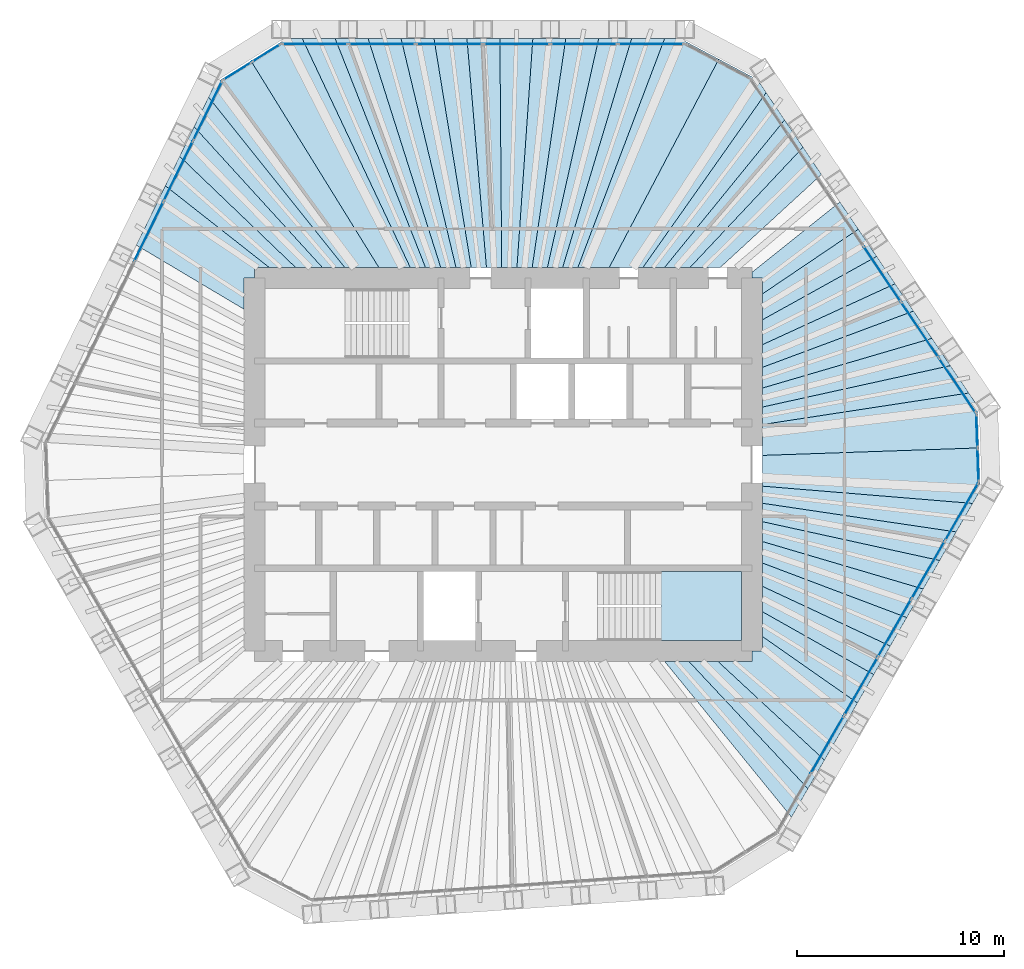
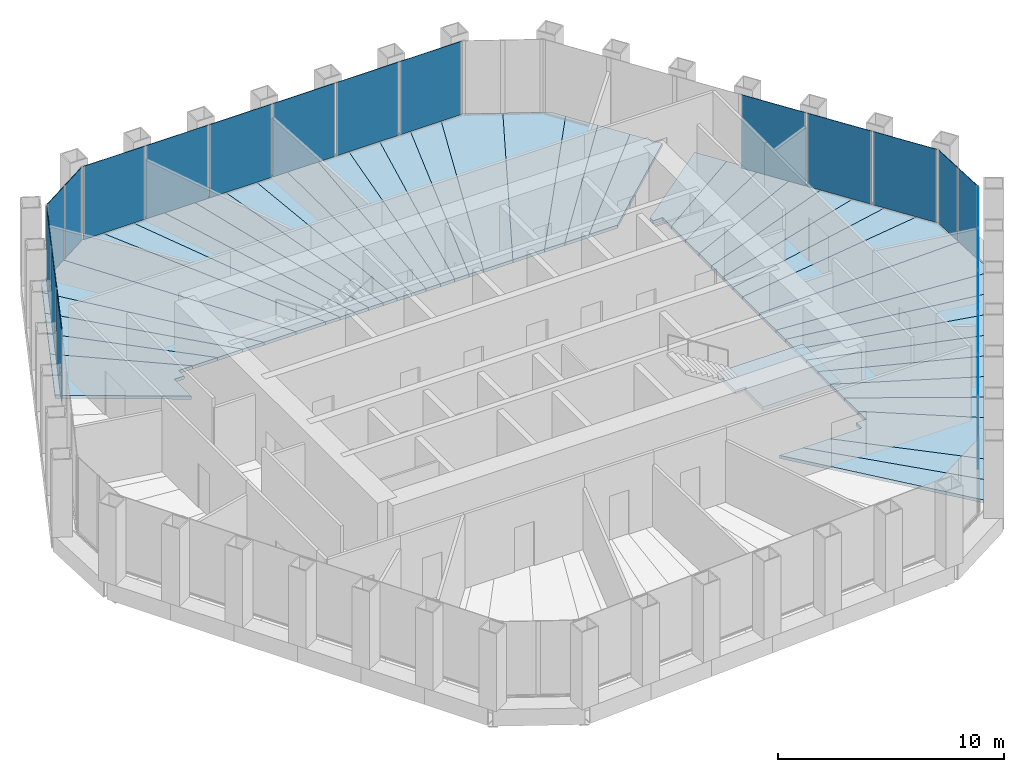
# One storey, part 10 of 14: 42 slabs, 21 plates, 7 elements without a shape of their own.
"""IFC4 building model written with IfcOpenShell, lengths in metres."""

import ifcopenshell
import ifcopenshell.guid

model = None  # the IFC model being written
_history = None  # IfcOwnerHistory: only IFC2X3 demands one
_inside = {}  # id of a spatial element -> (the spatial element, [elements in it])
_under = {}  # id of a project, library or spatial element -> (it, [spatial elements below it])
_declared = {}  # id of a project -> (the project, [libraries it declares])
_typed = {}  # id of a type object -> (the type object, [elements of that type])
_made_of = {}  # id of a material, layer set ... -> (it, [elements and type objects made of it])


def new_model(schema):
    """Start an empty IFC model of exactly this schema.

    Asked for "IFC4X3", IfcOpenShell would pick the latest addendum, in which some entities
    have other attributes; the version numbers below select the first issue.
    IFC2X3 requires an IfcOwnerHistory on every rooted entity: one is made here for all.
    """
    global model, _history
    if schema == "IFC4X3":
        model = ifcopenshell.file(schema_version=(4, 3, 0, 0))
    else:
        model = ifcopenshell.file(schema=schema)
    _inside.clear()
    _under.clear()
    _declared.clear()
    _typed.clear()
    _made_of.clear()
    _history = None
    if model.schema == "IFC2X3":
        org = make("IfcOrganization", Name="unknown")
        user = make(
            "IfcPersonAndOrganization",
            ThePerson=make("IfcPerson", FamilyName="unknown"),
            TheOrganization=org,
        )
        app = make(
            "IfcApplication",
            ApplicationDeveloper=org,
            Version="unknown",
            ApplicationFullName="unknown",
            ApplicationIdentifier="unknown",
        )
        _history = make(
            "IfcOwnerHistory",
            OwningUser=user,
            OwningApplication=app,
            ChangeAction="ADDED",
            CreationDate=0,
        )
    return model


def make(cls, **values):
    """One entity of the class cls with the attributes given. An attribute that is None is left unset."""
    return model.create_entity(
        cls, **{name: value for name, value in values.items() if value is not None}
    )


def rooted(cls, **values):
    """An entity with a GlobalId (a new one), such as an element, a storey or a relation."""
    return make(cls, GlobalId=ifcopenshell.guid.new(), OwnerHistory=_history, **values)


def si_unit(unit_type, name, prefix=None):
    """IfcSIUnit, for example si_unit("LENGTHUNIT", "METRE", prefix="MILLI")."""
    return make("IfcSIUnit", UnitType=unit_type, Prefix=prefix, Name=name)


def assignment(units):
    """IfcUnitAssignment: the units of a project."""
    return None if units is None else make("IfcUnitAssignment", Units=units)


def point(xyz):
    """IfcCartesianPoint."""
    return None if xyz is None else make("IfcCartesianPoint", Coordinates=xyz)


def direction(xyz):
    """IfcDirection."""
    return None if xyz is None else make("IfcDirection", DirectionRatios=xyz)


def frame(location, z_axis=None, x_axis=None):
    """IfcAxis2Placement3D, a coordinate frame: its origin and axes. An axis left out is left unset."""
    return make(
        "IfcAxis2Placement3D",
        Location=point(location),
        Axis=direction(z_axis),
        RefDirection=direction(x_axis),
    )


def frame_2d(location, x_axis=None):
    """IfcAxis2Placement2D, a coordinate frame in the plane: its origin and x axis."""
    return make(
        "IfcAxis2Placement2D", Location=point(location), RefDirection=direction(x_axis)
    )


def origin():
    """The frame at (0, 0, 0) with its axes left unset."""
    return frame((0.0, 0.0, 0.0))


def origin_2d():
    """The frame at (0, 0) in the plane with its x axis left unset."""
    return frame_2d((0.0, 0.0))


def place(relative_to, where):
    """IfcLocalPlacement: puts the frame where relative to a parent placement (None: the world)."""
    return make(
        "IfcLocalPlacement", PlacementRelTo=relative_to, RelativePlacement=where
    )


def context(
    kind, dimensions, precision=None, world=None, true_north=None, identifier=None
):
    """IfcGeometricRepresentationContext, for example the 3D "Model" context."""
    return make(
        "IfcGeometricRepresentationContext",
        ContextIdentifier=identifier,
        ContextType=kind,
        CoordinateSpaceDimension=dimensions,
        Precision=precision,
        WorldCoordinateSystem=world,
        TrueNorth=true_north,
    )


def subcontext(parent, identifier, kind, view, scale=None):
    """IfcGeometricRepresentationSubContext, for example "Body" below "Model"."""
    return make(
        "IfcGeometricRepresentationSubContext",
        ContextIdentifier=identifier,
        ContextType=kind,
        ParentContext=parent,
        TargetScale=scale,
        TargetView=view,
    )


def project(units=None, contexts=None):
    """IfcProject with its units and contexts."""
    return rooted(
        "IfcProject",
        Name="project",
        RepresentationContexts=contexts,
        UnitsInContext=assignment(units),
    )


def spatial(cls, under=None, at=None, **own):
    """A site, building, storey or space (cls), placed at a placement, below another one or the project."""
    s = rooted(cls, ObjectPlacement=at, **own)
    if under is not None:
        _under.setdefault(under.id(), (under, []))[1].append(s)
    return s


def polyline(points):
    """IfcPolyline through the points."""
    return make("IfcPolyline", Points=[point(p) for p in points])


def profile(cls, at=None, kind="AREA", **sizes):
    """A parametric profile (cls). Its sizes go by their IFC names, for example OverallWidth=200.0."""
    return make(cls, ProfileType=kind, Position=at, **sizes)


def rectangle(**sizes):
    """IfcRectangleProfileDef."""
    return profile("IfcRectangleProfileDef", **sizes)


def outline(outer, holes=None, kind="AREA"):
    """IfcArbitraryClosedProfileDef: a profile drawn as a closed curve; with holes, ...WithVoids."""
    if holes is None:
        return make("IfcArbitraryClosedProfileDef", ProfileType=kind, OuterCurve=outer)
    return make(
        "IfcArbitraryProfileDefWithVoids",
        ProfileType=kind,
        OuterCurve=outer,
        InnerCurves=holes,
    )


def extrude(swept, where, along, depth):
    """IfcExtrudedAreaSolid: the profile swept, set in the frame where, extruded along a direction by depth."""
    return make(
        "IfcExtrudedAreaSolid",
        SweptArea=swept,
        Position=where,
        ExtrudedDirection=direction(along),
        Depth=depth,
    )


def shape(context_of_items, identifier, shape_type, items):
    """IfcShapeRepresentation: the items that make up one representation, for example the "Body"."""
    return make(
        "IfcShapeRepresentation",
        ContextOfItems=context_of_items,
        RepresentationIdentifier=identifier,
        RepresentationType=shape_type,
        Items=items,
    )


def material(Name=None, Category=None):
    """IfcMaterial."""
    return make("IfcMaterial", Name=Name, Category=Category)


def layer(
    of_material, thickness, ventilated=None, Name=None, Category=None, Priority=None
):
    """IfcMaterialLayer: one layer of a wall or slab, of a material (None: an air gap)."""
    return make(
        "IfcMaterialLayer",
        Material=of_material,
        LayerThickness=thickness,
        IsVentilated=ventilated,
        Name=Name,
        Category=Category,
        Priority=Priority,
    )


def layer_set(layers, Name=None):
    """IfcMaterialLayerSet."""
    return make("IfcMaterialLayerSet", MaterialLayers=layers, LayerSetName=Name)


def made_of(thing, what):
    """Note that an element or type object is made of a material, layer set ...; save() writes the relation."""
    if what is not None:
        _made_of.setdefault(what.id(), (what, []))[1].append(thing)
    return thing


def type_object(cls, material=None, **own):
    """A type object (cls), such as IfcWallType, which elements share."""
    return made_of(rooted(cls, **own), material)


def element(
    cls,
    number,
    at=None,
    inside=None,
    cuts=None,
    type_object=None,
    material=None,
    context=None,
    identifier="Body",
    shape_type=None,
    held_by="IfcProductDefinitionShape",
    body=None,
    shapes=None,
    **own,
):
    """One element of the class cls, such as IfcWall. Its Tag is "e" and its number.

    at: its placement. inside: the storey or other place that contains it. cuts: it is an
    opening in that element (IfcRelVoidsElement). A single representation is given by context,
    identifier, shape_type and body (its items); several are given by shapes. held_by: the class
    of the entity that holds the representations. save() writes the other relations.
    """
    e = rooted(cls, Tag="e%d" % number, ObjectPlacement=at, **own)
    if body is not None:
        shapes = [shape(context, identifier, shape_type, body)]
    if shapes is not None:
        e.Representation = make(held_by, Representations=shapes)
    if inside is not None:
        _inside.setdefault(inside.id(), (inside, []))[1].append(e)
    if cuts is not None:
        rooted(
            "IfcRelVoidsElement", RelatingBuildingElement=cuts, RelatedOpeningElement=e
        )
    if type_object is not None:
        _typed.setdefault(type_object.id(), (type_object, []))[1].append(e)
    return made_of(e, material)


def aggregate(whole, parts):
    """IfcRelAggregates: a whole, such as a stair, and the parts it consists of."""
    return rooted("IfcRelAggregates", RelatingObject=whole, RelatedObjects=parts)


def save(model, path):
    """Write the relations noted so far, then the file.

    IfcRelAggregates (storeys below a building ...), IfcRelContainedInSpatialStructure (elements
    in a storey), IfcRelDefinesByType, IfcRelAssociatesMaterial and IfcRelDeclares: one each for
    every whole, place, type object, material and project.
    """
    for whole, parts in _under.values():
        aggregate(whole, parts)
    for where, things in _inside.values():
        rooted(
            "IfcRelContainedInSpatialStructure",
            RelatedElements=things,
            RelatingStructure=where,
        )
    for kind, things in _typed.values():
        rooted("IfcRelDefinesByType", RelatedObjects=things, RelatingType=kind)
    for what, things in _made_of.values():
        rooted("IfcRelAssociatesMaterial", RelatedObjects=things, RelatingMaterial=what)
    for by, libraries in _declared.values():
        rooted("IfcRelDeclares", RelatingContext=by, RelatedDefinitions=libraries)
    model.write(path)


model = new_model("IFC4")

# Units and contexts
model_context = context("Model", 3, precision=1e-05, world=origin(), true_north=direction((0.0, 1.0)))
body_context = subcontext(model_context, "Body", "Model", "MODEL_VIEW")
ifc_project = project(units=[si_unit("LENGTHUNIT", "METRE"), si_unit("AREAUNIT", "SQUARE_METRE"), si_unit("VOLUMEUNIT", "CUBIC_METRE"), si_unit("PLANEANGLEUNIT", "RADIAN"), si_unit("MASSUNIT", "GRAM", prefix="KILO")], contexts=[model_context])

# Site, building, storey
site_placement = place(None, origin())
site = spatial("IfcSite", under=ifc_project, at=site_placement, CompositionType="ELEMENT")
building_placement = place(site_placement, origin())
building = spatial("IfcBuilding", under=site, at=building_placement, Name="Qingtian Harvest Tower", CompositionType="ELEMENT")
storey_placement = place(building_placement, frame((0.0, 0.0, 274.60009765625)))
storey = spatial("IfcBuildingStorey", under=building, at=storey_placement, Name="L60", CompositionType="ELEMENT", Elevation=274.60009765625)

# Slabs
ifc_material_1 = material(Name="Concrete fc' 35 MPa", Category="concrete")
ifc_layer_1 = layer(ifc_material_1, 0.169921875)
ifc_layer_set_1 = layer_set([ifc_layer_1], Name="Composite floor slab FS17 170")
slab_type_1 = type_object("IfcSlabType", Name="Composite floor slab FS17 170", PredefinedType="FLOOR", material=ifc_layer_set_1)
slab_1_placement = place(storey_placement, frame((0.0, 0.0, -0.170166015625)))
element("IfcSlab", 1, at=slab_1_placement, inside=storey, type_object=slab_type_1, Name="Floor slab L60 panel D28", PredefinedType="FLOOR", context=body_context, shape_type="SweptSolid", body=[
    extrude(outline(polyline([(8.957275390625, -9.5), (14.703857421875, -15.64208984375), (13.908935546875, -17.01904296875), (7.78515625, -9.5), (8.957275390625, -9.5)])), origin(), (0.0, 0.0, 1.0), 0.170166015625),
])
slab_2_placement = place(storey_placement, frame((0.0, 0.0, -0.170166015625)))
element("IfcSlab", 2, at=slab_2_placement, inside=storey, type_object=slab_type_1, Name="Floor slab L60 panel D29", PredefinedType="FLOOR", context=body_context, shape_type="SweptSolid", body=[
    extrude(outline(polyline([(10.35693359375, -9.5), (15.498779296875, -14.26513671875), (14.703857421875, -15.64208984375), (8.957275390625, -9.5), (10.35693359375, -9.5)])), origin(), (0.0, 0.0, 1.0), 0.170166015625),
])
slab_3_placement = place(storey_placement, frame((0.0, 0.0, -0.170166015625)))
element("IfcSlab", 3, at=slab_3_placement, inside=storey, type_object=slab_type_1, Name="Floor slab L60 panel D31", PredefinedType="FLOOR", context=body_context, shape_type="SweptSolid", body=[
    extrude(outline(polyline([(12.5, -8.29443359375), (17.091552734375, -11.506591796875), (15.498779296875, -14.26513671875), (10.35693359375, -9.5), (12.0, -9.5), (12.0, -9.0), (12.5, -9.0), (12.5, -8.29443359375)])), origin(), (0.0, 0.0, 1.0), 0.170166015625),
])
slab_4_placement = place(storey_placement, frame((0.0, 0.0, -0.170166015625)))
element("IfcSlab", 4, at=slab_4_placement, inside=storey, type_object=slab_type_1, Name="Floor slab L60 panel D32", PredefinedType="FLOOR", context=body_context, shape_type="SweptSolid", body=[
    extrude(outline(polyline([(12.5, -7.099853515625), (17.882080078125, -10.137451171875), (17.091552734375, -11.506591796875), (12.5, -8.29443359375), (12.5, -7.099853515625)])), origin(), (0.0, 0.0, 1.0), 0.170166015625),
])
slab_5_placement = place(storey_placement, frame((0.0, 0.0, -0.170166015625)))
element("IfcSlab", 5, at=slab_5_placement, inside=storey, type_object=slab_type_1, Name="Floor slab L60 panel D33", PredefinedType="FLOOR", context=body_context, shape_type="SweptSolid", body=[
    extrude(outline(polyline([(12.5, -5.875244140625), (18.677001953125, -8.760498046875), (17.882080078125, -10.137451171875), (12.5, -7.099853515625), (12.5, -5.875244140625)])), origin(), (0.0, 0.0, 1.0), 0.170166015625),
])
slab_6_placement = place(storey_placement, frame((0.0, 0.0, -0.170166015625)))
element("IfcSlab", 6, at=slab_6_placement, inside=storey, type_object=slab_type_1, Name="Floor slab L60 panel D34", PredefinedType="FLOOR", context=body_context, shape_type="SweptSolid", body=[
    extrude(outline(polyline([(12.5, -4.750732421875), (19.4716796875, -7.3837890625), (18.677001953125, -8.760498046875), (12.5, -5.875244140625), (12.5, -4.750732421875)])), origin(), (0.0, 0.0, 1.0), 0.170166015625),
])
slab_7_placement = place(storey_placement, frame((0.0, 0.0, -0.170166015625)))
element("IfcSlab", 7, at=slab_7_placement, inside=storey, type_object=slab_type_1, Name="Floor slab L60 panel D35", PredefinedType="FLOOR", context=body_context, shape_type="SweptSolid", body=[
    extrude(outline(polyline([(12.5, -3.714599609375), (20.2666015625, -6.007080078125), (19.4716796875, -7.3837890625), (12.5, -4.750732421875), (12.5, -3.714599609375)])), origin(), (0.0, 0.0, 1.0), 0.170166015625),
])
slab_8_placement = place(storey_placement, frame((0.0, 0.0, -0.170166015625)))
element("IfcSlab", 8, at=slab_8_placement, inside=storey, type_object=slab_type_1, Name="Floor slab L60 panel D36", PredefinedType="FLOOR", context=body_context, shape_type="SweptSolid", body=[
    extrude(outline(polyline([(12.5, -2.756591796875), (21.0615234375, -4.630615234375), (20.2666015625, -6.007080078125), (12.5, -3.714599609375), (12.5, -2.756591796875)])), origin(), (0.0, 0.0, 1.0), 0.170166015625),
])
slab_9_placement = place(storey_placement, frame((0.0, 0.0, -0.170166015625)))
element("IfcSlab", 9, at=slab_9_placement, inside=storey, type_object=slab_type_1, Name="Floor slab L60 panel D37", PredefinedType="FLOOR", context=body_context, shape_type="SweptSolid", body=[
    extrude(outline(polyline([(12.5, -1.868408203125), (21.856201171875, -3.25390625), (21.0615234375, -4.630615234375), (12.5, -2.756591796875), (12.5, -1.868408203125)])), origin(), (0.0, 0.0, 1.0), 0.170166015625),
])
slab_10_placement = place(storey_placement, frame((0.0, 0.0, -0.170166015625)))
element("IfcSlab", 10, at=slab_10_placement, inside=storey, type_object=slab_type_1, Name="Floor slab L60 panel D38", PredefinedType="FLOOR", context=body_context, shape_type="SweptSolid", body=[
    extrude(outline(polyline([(12.5, -1.042724609375), (22.651123046875, -1.877197265625), (21.856201171875, -3.25390625), (12.5, -1.868408203125), (12.5, -1.042724609375)])), origin(), (0.0, 0.0, 1.0), 0.170166015625),
])
slab_11_placement = place(storey_placement, frame((0.0, 0.0, -0.170166015625)))
element("IfcSlab", 11, at=slab_11_placement, inside=storey, type_object=slab_type_1, Name="Floor slab L60 panel D39", PredefinedType="FLOOR", context=body_context, shape_type="SweptSolid", body=[
    extrude(outline(polyline([(12.5, -1.042724609375), (12.5, 0.439697265625), (22.9521484375, 0.8017578125), (23.023193359375, -1.232666015625), (22.651123046875, -1.877197265625), (12.5, -1.042724609375)])), origin(), (0.0, 0.0, 1.0), 0.170166015625),
])
slab_12_placement = place(storey_placement, frame((0.0, 0.0, -0.170166015625)))
element("IfcSlab", 12, at=slab_12_placement, inside=storey, type_object=slab_type_1, Name="Floor slab L60 panel D40", PredefinedType="FLOOR", context=body_context, shape_type="SweptSolid", body=[
    extrude(outline(polyline([(12.5, 0.439697265625), (12.5, 1.928955078125), (22.46484375, 3.45263671875), (22.881103515625, 2.835693359375), (22.9521484375, 0.8017578125), (12.5, 0.439697265625)])), origin(), (0.0, 0.0, 1.0), 0.170166015625),
])
slab_13_placement = place(storey_placement, frame((0.0, 0.0, -0.170166015625)))
element("IfcSlab", 13, at=slab_13_placement, inside=storey, type_object=slab_type_1, Name="Floor slab L60 panel D41", PredefinedType="FLOOR", context=body_context, shape_type="SweptSolid", body=[
    extrude(outline(polyline([(12.5, 2.772705078125), (21.575927734375, 4.7705078125), (22.46484375, 3.45263671875), (12.5, 1.928955078125), (12.5, 2.772705078125)])), origin(), (0.0, 0.0, 1.0), 0.170166015625),
])
slab_14_placement = place(storey_placement, frame((0.0, 0.0, -0.170166015625)))
element("IfcSlab", 14, at=slab_14_placement, inside=storey, type_object=slab_type_1, Name="Floor slab L60 panel D42", PredefinedType="FLOOR", context=body_context, shape_type="SweptSolid", body=[
    extrude(outline(polyline([(12.5, 3.688720703125), (20.68701171875, 6.08837890625), (21.575927734375, 4.7705078125), (12.5, 2.772705078125), (12.5, 3.688720703125)])), origin(), (0.0, 0.0, 1.0), 0.170166015625),
])
slab_15_placement = place(storey_placement, frame((0.0, 0.0, -0.170166015625)))
element("IfcSlab", 15, at=slab_15_placement, inside=storey, type_object=slab_type_1, Name="Floor slab L60 panel D43", PredefinedType="FLOOR", context=body_context, shape_type="SweptSolid", body=[
    extrude(outline(polyline([(12.5, 4.6875), (19.798095703125, 7.40625), (20.68701171875, 6.08837890625), (12.5, 3.688720703125), (12.5, 4.6875)])), origin(), (0.0, 0.0, 1.0), 0.170166015625),
])
slab_16_placement = place(storey_placement, frame((0.0, 0.0, -0.170166015625)))
element("IfcSlab", 16, at=slab_16_placement, inside=storey, type_object=slab_type_1, Name="Floor slab L60 panel D44", PredefinedType="FLOOR", context=body_context, shape_type="SweptSolid", body=[
    extrude(outline(polyline([(12.5, 5.780029296875), (18.9091796875, 8.724365234375), (19.798095703125, 7.40625), (12.5, 4.6875), (12.5, 5.780029296875)])), origin(), (0.0, 0.0, 1.0), 0.170166015625),
])
slab_17_placement = place(storey_placement, frame((0.0, 0.0, -0.170166015625)))
element("IfcSlab", 17, at=slab_17_placement, inside=storey, type_object=slab_type_1, Name="Floor slab L60 panel D45", PredefinedType="FLOOR", context=body_context, shape_type="SweptSolid", body=[
    extrude(outline(polyline([(12.5, 6.980712890625), (18.020263671875, 10.042236328125), (18.9091796875, 8.724365234375), (12.5, 5.780029296875), (12.5, 6.980712890625)])), origin(), (0.0, 0.0, 1.0), 0.170166015625),
])
slab_18_placement = place(storey_placement, frame((0.0, 0.0, -0.170166015625)))
element("IfcSlab", 18, at=slab_18_placement, inside=storey, type_object=slab_type_1, Name="Floor slab L60 panel D46", PredefinedType="FLOOR", context=body_context, shape_type="SweptSolid", body=[
    extrude(outline(polyline([(12.5, 8.22998046875), (17.1337890625, 11.3564453125), (18.020263671875, 10.042236328125), (12.5, 6.980712890625), (12.5, 8.22998046875)])), origin(), (0.0, 0.0, 1.0), 0.170166015625),
])
slab_19_placement = place(storey_placement, frame((0.0, 0.0, -0.170166015625)))
element("IfcSlab", 19, at=slab_19_placement, inside=storey, type_object=slab_type_1, Name="Floor slab L60 panel D47", PredefinedType="FLOOR", context=body_context, shape_type="SweptSolid", body=[
    extrude(outline(polyline([(12.5, 9.0), (12.0, 9.0), (12.0, 9.2734375), (16.24609375, 12.672607421875), (17.1337890625, 11.3564453125), (12.5, 8.22998046875), (12.5, 9.0)])), origin(), (0.0, 0.0, 1.0), 0.170166015625),
])
slab_20_placement = place(storey_placement, frame((0.0, 0.0, -0.170166015625)))
element("IfcSlab", 20, at=slab_20_placement, inside=storey, type_object=slab_type_1, Name="Floor slab L60 panel D49", PredefinedType="FLOOR", context=body_context, shape_type="SweptSolid", body=[
    extrude(outline(polyline([(9.002685546875, 9.5), (14.4658203125, 15.31201171875), (15.35498046875, 13.99365234375), (10.4599609375, 9.5), (9.002685546875, 9.5)])), origin(), (0.0, 0.0, 1.0), 0.170166015625),
])
slab_21_placement = place(storey_placement, frame((0.0, 0.0, -0.170166015625)))
element("IfcSlab", 21, at=slab_21_placement, inside=storey, type_object=slab_type_1, Name="Floor slab L60 panel D50", PredefinedType="FLOOR", context=body_context, shape_type="SweptSolid", body=[
    extrude(outline(polyline([(7.77734375, 9.5), (13.57666015625, 16.6298828125), (14.4658203125, 15.31201171875), (9.002685546875, 9.5), (7.77734375, 9.5)])), origin(), (0.0, 0.0, 1.0), 0.170166015625),
])
slab_22_placement = place(storey_placement, frame((0.0, 0.0, -0.170166015625)))
element("IfcSlab", 22, at=slab_22_placement, inside=storey, type_object=slab_type_1, Name="Floor slab L60 panel D51", PredefinedType="FLOOR", context=body_context, shape_type="SweptSolid", body=[
    extrude(outline(polyline([(6.73291015625, 9.5), (12.687744140625, 17.947998046875), (13.57666015625, 16.6298828125), (7.77734375, 9.5), (6.73291015625, 9.5)])), origin(), (0.0, 0.0, 1.0), 0.170166015625),
])
slab_23_placement = place(storey_placement, frame((0.0, 0.0, -0.170166015625)))
element("IfcSlab", 23, at=slab_23_placement, inside=storey, type_object=slab_type_1, Name="Floor slab L60 panel D52", PredefinedType="FLOOR", context=body_context, shape_type="SweptSolid", body=[
    extrude(outline(polyline([(6.73291015625, 9.5), (5.108154296875, 9.5), (10.402099609375, 19.55908203125), (12.271240234375, 18.5654296875), (12.687744140625, 17.947998046875), (6.73291015625, 9.5)])), origin(), (0.0, 0.0, 1.0), 0.170166015625),
])
slab_24_placement = place(storey_placement, frame((0.0, 0.0, -0.170166015625)))
element("IfcSlab", 24, at=slab_24_placement, inside=storey, type_object=slab_type_1, Name="Floor slab L60 panel D53", PredefinedType="FLOOR", context=body_context, shape_type="SweptSolid", body=[
    extrude(outline(polyline([(3.59814453125, 9.5), (7.785400390625, 20.554931640625), (8.529296875, 20.554931640625), (10.402099609375, 19.55908203125), (5.108154296875, 9.5), (3.59814453125, 9.5)])), origin(), (0.0, 0.0, 1.0), 0.170166015625),
])
slab_25_placement = place(storey_placement, frame((0.0, 0.0, -0.170166015625)))
element("IfcSlab", 25, at=slab_25_placement, inside=storey, type_object=slab_type_1, Name="Floor slab L60 panel D54", PredefinedType="FLOOR", context=body_context, shape_type="SweptSolid", body=[
    extrude(outline(polyline([(2.863525390625, 9.5), (6.19580078125, 20.554931640625), (7.785400390625, 20.554931640625), (3.59814453125, 9.5), (2.863525390625, 9.5)])), origin(), (0.0, 0.0, 1.0), 0.170166015625),
])
slab_26_placement = place(storey_placement, frame((0.0, 0.0, -0.170166015625)))
element("IfcSlab", 26, at=slab_26_placement, inside=storey, type_object=slab_type_1, Name="Floor slab L60 panel D55", PredefinedType="FLOOR", context=body_context, shape_type="SweptSolid", body=[
    extrude(outline(polyline([(2.12890625, 9.5), (4.606201171875, 20.554931640625), (6.19580078125, 20.554931640625), (2.863525390625, 9.5), (2.12890625, 9.5)])), origin(), (0.0, 0.0, 1.0), 0.170166015625),
])
slab_27_placement = place(storey_placement, frame((0.0, 0.0, -0.170166015625)))
element("IfcSlab", 27, at=slab_27_placement, inside=storey, type_object=slab_type_1, Name="Floor slab L60 panel D56", PredefinedType="FLOOR", context=body_context, shape_type="SweptSolid", body=[
    extrude(outline(polyline([(1.394287109375, 9.5), (3.0166015625, 20.554931640625), (4.606201171875, 20.554931640625), (2.12890625, 9.5), (1.394287109375, 9.5)])), origin(), (0.0, 0.0, 1.0), 0.170166015625),
])
slab_28_placement = place(storey_placement, frame((0.0, 0.0, -0.170166015625)))
element("IfcSlab", 28, at=slab_28_placement, inside=storey, type_object=slab_type_1, Name="Floor slab L60 panel D57", PredefinedType="FLOOR", context=body_context, shape_type="SweptSolid", body=[
    extrude(outline(polyline([(0.659423828125, 9.5), (1.427001953125, 20.554931640625), (3.0166015625, 20.554931640625), (1.394287109375, 9.5), (0.659423828125, 9.5)])), origin(), (0.0, 0.0, 1.0), 0.170166015625),
])
slab_29_placement = place(storey_placement, frame((0.0, 0.0, -0.170166015625)))
element("IfcSlab", 29, at=slab_29_placement, inside=storey, type_object=slab_type_1, Name="Floor slab L60 panel D58", PredefinedType="FLOOR", context=body_context, shape_type="SweptSolid", body=[
    extrude(outline(polyline([(-0.0751953125, 9.5), (-0.16259765625, 20.554931640625), (1.427001953125, 20.554931640625), (0.659423828125, 9.5), (-0.0751953125, 9.5)])), origin(), (0.0, 0.0, 1.0), 0.170166015625),
])
slab_30_placement = place(storey_placement, frame((0.0, 0.0, -0.170166015625)))
element("IfcSlab", 30, at=slab_30_placement, inside=storey, type_object=slab_type_1, Name="Floor slab L60 panel D59", PredefinedType="FLOOR", context=body_context, shape_type="SweptSolid", body=[
    extrude(outline(polyline([(-0.809814453125, 9.5), (-1.752197265625, 20.554931640625), (-0.16259765625, 20.554931640625), (-0.0751953125, 9.5), (-0.809814453125, 9.5)])), origin(), (0.0, 0.0, 1.0), 0.170166015625),
])
slab_31_placement = place(storey_placement, frame((0.0, 0.0, -0.170166015625)))
element("IfcSlab", 31, at=slab_31_placement, inside=storey, type_object=slab_type_1, Name="Floor slab L60 panel D60", PredefinedType="FLOOR", context=body_context, shape_type="SweptSolid", body=[
    extrude(outline(polyline([(-1.54443359375, 9.5), (-3.341796875, 20.554931640625), (-1.752197265625, 20.554931640625), (-0.809814453125, 9.5), (-1.54443359375, 9.5)])), origin(), (0.0, 0.0, 1.0), 0.170166015625),
])
slab_32_placement = place(storey_placement, frame((0.0, 0.0, -0.170166015625)))
element("IfcSlab", 32, at=slab_32_placement, inside=storey, type_object=slab_type_1, Name="Floor slab L60 panel D61", PredefinedType="FLOOR", context=body_context, shape_type="SweptSolid", body=[
    extrude(outline(polyline([(-2.279296875, 9.5), (-4.931396484375, 20.554931640625), (-3.341796875, 20.554931640625), (-1.54443359375, 9.5), (-2.279296875, 9.5)])), origin(), (0.0, 0.0, 1.0), 0.170166015625),
])
slab_33_placement = place(storey_placement, frame((0.0, 0.0, -0.170166015625)))
element("IfcSlab", 33, at=slab_33_placement, inside=storey, type_object=slab_type_1, Name="Floor slab L60 panel D62", PredefinedType="FLOOR", context=body_context, shape_type="SweptSolid", body=[
    extrude(outline(polyline([(-3.013916015625, 9.5), (-6.52099609375, 20.554931640625), (-4.931396484375, 20.554931640625), (-2.279296875, 9.5), (-3.013916015625, 9.5)])), origin(), (0.0, 0.0, 1.0), 0.170166015625),
])
slab_34_placement = place(storey_placement, frame((0.0, 0.0, -0.170166015625)))
element("IfcSlab", 34, at=slab_34_placement, inside=storey, type_object=slab_type_1, Name="Floor slab L60 panel D63", PredefinedType="FLOOR", context=body_context, shape_type="SweptSolid", body=[
    extrude(outline(polyline([(-3.74853515625, 9.5), (-8.110595703125, 20.554931640625), (-6.52099609375, 20.554931640625), (-3.013916015625, 9.5), (-3.74853515625, 9.5)])), origin(), (0.0, 0.0, 1.0), 0.170166015625),
])
slab_35_placement = place(storey_placement, frame((0.0, 0.0, -0.170166015625)))
element("IfcSlab", 35, at=slab_35_placement, inside=storey, type_object=slab_type_1, Name="Floor slab L60 panel D64", PredefinedType="FLOOR", context=body_context, shape_type="SweptSolid", body=[
    extrude(outline(polyline([(-4.483154296875, 9.5), (-9.7001953125, 20.554931640625), (-8.110595703125, 20.554931640625), (-3.74853515625, 9.5), (-4.483154296875, 9.5)])), origin(), (0.0, 0.0, 1.0), 0.170166015625),
])
slab_36_placement = place(storey_placement, frame((0.0, 0.0, -0.170166015625)))
element("IfcSlab", 36, at=slab_36_placement, inside=storey, type_object=slab_type_1, Name="Floor slab L60 panel D65", PredefinedType="FLOOR", context=body_context, shape_type="SweptSolid", body=[
    extrude(outline(polyline([(-4.483154296875, 9.5), (-5.998291015625, 9.5), (-12.172119140625, 19.475341796875), (-10.444091796875, 20.554931640625), (-9.7001953125, 20.554931640625), (-4.483154296875, 9.5)])), origin(), (0.0, 0.0, 1.0), 0.170166015625),
])
slab_37_placement = place(storey_placement, frame((0.0, 0.0, -0.170166015625)))
element("IfcSlab", 37, at=slab_37_placement, inside=storey, type_object=slab_type_1, Name="Floor slab L60 panel D66", PredefinedType="FLOOR", context=body_context, shape_type="SweptSolid", body=[
    extrude(outline(polyline([(-5.998291015625, 9.5), (-7.640869140625, 9.5), (-14.22265625, 17.728515625), (-13.896240234375, 18.39794921875), (-12.172119140625, 19.475341796875), (-5.998291015625, 9.5)])), origin(), (0.0, 0.0, 1.0), 0.170166015625),
])
slab_38_placement = place(storey_placement, frame((0.0, 0.0, -0.170166015625)))
element("IfcSlab", 38, at=slab_38_placement, inside=storey, type_object=slab_type_1, Name="Floor slab L60 panel D67", PredefinedType="FLOOR", context=body_context, shape_type="SweptSolid", body=[
    extrude(outline(polyline([(-8.720703125, 9.5), (-14.919677734375, 16.299560546875), (-14.22265625, 17.728515625), (-7.640869140625, 9.5), (-8.720703125, 9.5)])), origin(), (0.0, 0.0, 1.0), 0.170166015625),
])
slab_39_placement = place(storey_placement, frame((0.0, 0.0, -0.170166015625)))
element("IfcSlab", 39, at=slab_39_placement, inside=storey, type_object=slab_type_1, Name="Floor slab L60 panel D68", PredefinedType="FLOOR", context=body_context, shape_type="SweptSolid", body=[
    extrude(outline(polyline([(-10.00927734375, 9.5), (-15.61669921875, 14.87060546875), (-14.919677734375, 16.299560546875), (-8.720703125, 9.5), (-10.00927734375, 9.5)])), origin(), (0.0, 0.0, 1.0), 0.170166015625),
])
slab_40_placement = place(storey_placement, frame((0.0, 0.0, -0.170166015625)))
element("IfcSlab", 40, at=slab_40_placement, inside=storey, type_object=slab_type_1, Name="Floor slab L60 panel D69", PredefinedType="FLOOR", context=body_context, shape_type="SweptSolid", body=[
    extrude(outline(polyline([(-11.28125, 9.5), (-16.30810546875, 13.45263671875), (-15.61669921875, 14.87060546875), (-10.00927734375, 9.5), (-11.28125, 9.5)])), origin(), (0.0, 0.0, 1.0), 0.170166015625),
])
slab_41_placement = place(storey_placement, frame((0.0, 0.0, -0.170166015625)))
element("IfcSlab", 41, at=slab_41_placement, inside=storey, type_object=slab_type_1, Name="Floor slab L60 panel D70", PredefinedType="FLOOR", context=body_context, shape_type="SweptSolid", body=[
    extrude(outline(polyline([(-12.0, 9.0), (-12.5, 9.0), (-12.5, 7.48583984375), (-17.706298828125, 10.58642578125), (-16.30810546875, 13.45263671875), (-11.28125, 9.5), (-12.0, 9.5), (-12.0, 9.0)])), origin(), (0.0, 0.0, 1.0), 0.170166015625),
])

# Curtain wall, plates
ifc_material_2 = material(Name="Bronze-anodised aluminium curtain wall", Category="aluminium")
curtain_wall_type = type_object("IfcCurtainWallType", Name="Curtain wall CW5 upper office", PredefinedType="USERDEFINED", material=ifc_material_2)
curtain_wall_1_placement = place(storey_placement, origin())
curtain_wall_1 = element("IfcCurtainWall", 42, at=curtain_wall_1_placement, inside=storey, type_object=curtain_wall_type, Name="Curtain wall CW5 L60 N0-5", ObjectType="RECESSED CURTAIN WALL", PredefinedType="USERDEFINED")
ifc_material_3 = material(Name="Bronze-tinted laminated insulating glass", Category="glass")
ifc_layer_2 = layer(ifc_material_3, 0.030029296875)
ifc_layer_set_2 = layer_set([ifc_layer_2], Name="Glazed panel CWP tinted IGU")
plate_type = type_object("IfcPlateType", Name="Glazed panel CWP tinted IGU", PredefinedType="CURTAIN_PANEL", material=ifc_layer_set_2)
plate_1_placement = place(storey_placement, frame((-9.08203125, 20.300048828125, 0.06494140625), z_axis=(0.0, 0.0, 1.0), x_axis=(1.0, 0.0, 0.0)))
plate_1 = element("IfcPlate", 43, at=plate_1_placement, type_object=plate_type, Name="CW5 panel 1.1", PredefinedType="CURTAIN_PANEL", context=body_context, shape_type="SweptSolid", body=[
    extrude(rectangle(XDim=3.150634765625, YDim=0.030029296875, at=origin_2d()), origin(), (0.0, 0.0, 1.0), 3.965087890625),
])
plate_2_placement = place(storey_placement, frame((-5.85009765625, 20.300048828125, 0.06494140625), z_axis=(0.0, 0.0, 1.0), x_axis=(1.0, 0.0, 0.0)))
plate_2 = element("IfcPlate", 44, at=plate_2_placement, type_object=plate_type, Name="CW5 panel 2.1", PredefinedType="CURTAIN_PANEL", context=body_context, shape_type="SweptSolid", body=[
    extrude(rectangle(XDim=3.18310546875, YDim=0.030029296875, at=origin_2d()), origin(), (0.0, 0.0, 1.0), 3.965087890625),
])
plate_3_placement = place(storey_placement, frame((-2.602294921875, 20.300048828125, 0.06494140625), z_axis=(0.0, 0.0, 1.0), x_axis=(1.0, 0.0, 0.0)))
plate_3 = element("IfcPlate", 45, at=plate_3_placement, type_object=plate_type, Name="CW5 panel 3.1", PredefinedType="CURTAIN_PANEL", context=body_context, shape_type="SweptSolid", body=[
    extrude(rectangle(XDim=3.18310546875, YDim=0.030029296875, at=origin_2d()), origin(), (0.0, 0.0, 1.0), 3.965087890625),
])
plate_4_placement = place(storey_placement, frame((0.645751953125, 20.300048828125, 0.06494140625), z_axis=(0.0, 0.0, 1.0), x_axis=(1.0, 0.0, 0.0)))
plate_4 = element("IfcPlate", 46, at=plate_4_placement, type_object=plate_type, Name="CW5 panel 4.1", PredefinedType="CURTAIN_PANEL", context=body_context, shape_type="SweptSolid", body=[
    extrude(rectangle(XDim=3.18310546875, YDim=0.030029296875, at=origin_2d()), origin(), (0.0, 0.0, 1.0), 3.965087890625),
])
plate_5_placement = place(storey_placement, frame((3.893798828125, 20.300048828125, 0.06494140625), z_axis=(0.0, 0.0, 1.0), x_axis=(1.0, 0.0, 0.0)))
plate_5 = element("IfcPlate", 47, at=plate_5_placement, type_object=plate_type, Name="CW5 panel 5.1", PredefinedType="CURTAIN_PANEL", context=body_context, shape_type="SweptSolid", body=[
    extrude(rectangle(XDim=3.18310546875, YDim=0.030029296875, at=origin_2d()), origin(), (0.0, 0.0, 1.0), 3.965087890625),
])
plate_6_placement = place(storey_placement, frame((7.125732421875, 20.300048828125, 0.06494140625), z_axis=(0.0, 0.0, 1.0), x_axis=(1.0, 0.0, 0.0)))
plate_6 = element("IfcPlate", 48, at=plate_6_placement, type_object=plate_type, Name="CW5 panel 6.1", PredefinedType="CURTAIN_PANEL", context=body_context, shape_type="SweptSolid", body=[
    extrude(rectangle(XDim=3.150634765625, YDim=0.030029296875, at=origin_2d()), origin(), (0.0, 0.0, 1.0), 3.965087890625),
])
aggregate(curtain_wall_1, [plate_1, plate_2, plate_3, plate_4, plate_5, plate_6])

curtain_wall_2_placement = place(storey_placement, origin())
curtain_wall_2 = element("IfcCurtainWall", 49, at=curtain_wall_2_placement, inside=storey, type_object=curtain_wall_type, Name="Curtain wall CW5 L60 NE0-5", ObjectType="RECESSED CURTAIN WALL", PredefinedType="USERDEFINED")
plate_7_placement = place(storey_placement, frame((18.28466796875, 9.1943359375, 0.06494140625), z_axis=(0.0, 0.0, 1.0), x_axis=(0.559192903471, -0.829037572555, 0.0)))
plate_7 = element("IfcPlate", 50, at=plate_7_placement, type_object=plate_type, Name="CW5 panel 4.1", PredefinedType="CURTAIN_PANEL", context=body_context, shape_type="SweptSolid", body=[
    extrude(rectangle(XDim=3.18310546875, YDim=0.030029296875, at=origin_2d()), origin(), (0.0, 0.0, 1.0), 3.965087890625),
])
plate_8_placement = place(storey_placement, frame((20.100830078125, 6.50146484375, 0.06494140625), z_axis=(0.0, 0.0, 1.0), x_axis=(0.559192903471, -0.829037572555, 0.0)))
plate_8 = element("IfcPlate", 51, at=plate_8_placement, type_object=plate_type, Name="CW5 panel 5.1", PredefinedType="CURTAIN_PANEL", context=body_context, shape_type="SweptSolid", body=[
    extrude(rectangle(XDim=3.18310546875, YDim=0.030029296875, at=origin_2d()), origin(), (0.0, 0.0, 1.0), 3.965087890625),
])
plate_9_placement = place(storey_placement, frame((21.907958984375, 3.822265625, 0.06494140625), z_axis=(0.0, 0.0, 1.0), x_axis=(0.559192903471, -0.829037572555, 0.0)))
plate_9 = element("IfcPlate", 52, at=plate_9_placement, type_object=plate_type, Name="CW5 panel 6.1", PredefinedType="CURTAIN_PANEL", context=body_context, shape_type="SweptSolid", body=[
    extrude(rectangle(XDim=3.150634765625, YDim=0.030029296875, at=origin_2d()), origin(), (0.0, 0.0, 1.0), 3.965087890625),
])
aggregate(curtain_wall_2, [plate_7, plate_8, plate_9])

curtain_wall_3_placement = place(storey_placement, origin())
curtain_wall_3 = element("IfcCurtainWall", 53, at=curtain_wall_3_placement, inside=storey, type_object=curtain_wall_type, Name="Curtain wall CW5 L60 NEC", ObjectType="RECESSED CURTAIN WALL", PredefinedType="USERDEFINED")
plate_10_placement = place(storey_placement, frame((22.85498046875, 1.614501953125, 0.06494140625), z_axis=(0.0, 0.0, 1.0), x_axis=(0.034899496703, -0.999390827019, 0.0)))
plate_10 = element("IfcPlate", 54, at=plate_10_placement, type_object=plate_type, Name="CW5 panel 1.1", PredefinedType="CURTAIN_PANEL", context=body_context, shape_type="SweptSolid", body=[
    extrude(rectangle(XDim=1.56689453125, YDim=0.030029296875, at=origin_2d()), origin(), (0.0, 0.0, 1.0), 3.965087890625),
])
plate_11_placement = place(storey_placement, frame((22.911865234375, -0.016357421875, 0.06494140625), z_axis=(0.0, 0.0, 1.0), x_axis=(0.034899496703, -0.999390827019, 0.0)))
plate_11 = element("IfcPlate", 55, at=plate_11_placement, type_object=plate_type, Name="CW5 panel 2.1", PredefinedType="CURTAIN_PANEL", context=body_context, shape_type="SweptSolid", body=[
    extrude(rectangle(XDim=1.56689453125, YDim=0.030029296875, at=origin_2d()), origin(), (0.0, 0.0, 1.0), 3.965087890625),
])
aggregate(curtain_wall_3, [plate_10, plate_11])

curtain_wall_4_placement = place(storey_placement, origin())
curtain_wall_4 = element("IfcCurtainWall", 56, at=curtain_wall_4_placement, inside=storey, type_object=curtain_wall_type, Name="Curtain wall CW5 L60 SE0-5", ObjectType="RECESSED CURTAIN WALL", PredefinedType="USERDEFINED")
plate_12_placement = place(storey_placement, frame((22.121337890625, -2.28466796875, 0.06494140625), z_axis=(0.0, 0.0, 1.0), x_axis=(-0.5, -0.866025403784, 0.0)))
plate_12 = element("IfcPlate", 57, at=plate_12_placement, type_object=plate_type, Name="CW5 panel 1.1", PredefinedType="CURTAIN_PANEL", context=body_context, shape_type="SweptSolid", body=[
    extrude(rectangle(XDim=3.150634765625, YDim=0.030029296875, at=origin_2d()), origin(), (0.0, 0.0, 1.0), 3.965087890625),
])
plate_13_placement = place(storey_placement, frame((20.50537109375, -5.08349609375, 0.06494140625), z_axis=(0.0, 0.0, 1.0), x_axis=(-0.5, -0.866025403784, 0.0)))
plate_13 = element("IfcPlate", 58, at=plate_13_placement, type_object=plate_type, Name="CW5 panel 2.1", PredefinedType="CURTAIN_PANEL", context=body_context, shape_type="SweptSolid", body=[
    extrude(rectangle(XDim=3.18310546875, YDim=0.030029296875, at=origin_2d()), origin(), (0.0, 0.0, 1.0), 3.965087890625),
])
plate_14_placement = place(storey_placement, frame((18.88134765625, -7.896484375, 0.06494140625), z_axis=(0.0, 0.0, 1.0), x_axis=(-0.5, -0.866025403784, 0.0)))
plate_14 = element("IfcPlate", 59, at=plate_14_placement, type_object=plate_type, Name="CW5 panel 3.1", PredefinedType="CURTAIN_PANEL", context=body_context, shape_type="SweptSolid", body=[
    extrude(rectangle(XDim=3.18310546875, YDim=0.030029296875, at=origin_2d()), origin(), (0.0, 0.0, 1.0), 3.965087890625),
])
plate_15_placement = place(storey_placement, frame((17.25732421875, -10.709228515625, 0.06494140625), z_axis=(0.0, 0.0, 1.0), x_axis=(-0.5, -0.866025403784, 0.0)))
plate_15 = element("IfcPlate", 60, at=plate_15_placement, type_object=plate_type, Name="CW5 panel 4.1", PredefinedType="CURTAIN_PANEL", context=body_context, shape_type="SweptSolid", body=[
    extrude(rectangle(XDim=3.18310546875, YDim=0.030029296875, at=origin_2d()), origin(), (0.0, 0.0, 1.0), 3.965087890625),
])
plate_16_placement = place(storey_placement, frame((15.63330078125, -13.522216796875, 0.06494140625), z_axis=(0.0, 0.0, 1.0), x_axis=(-0.5, -0.866025403784, 0.0)))
plate_16 = element("IfcPlate", 61, at=plate_16_placement, type_object=plate_type, Name="CW5 panel 5.1", PredefinedType="CURTAIN_PANEL", context=body_context, shape_type="SweptSolid", body=[
    extrude(rectangle(XDim=3.18310546875, YDim=0.030029296875, at=origin_2d()), origin(), (0.0, 0.0, 1.0), 3.965087890625),
])
aggregate(curtain_wall_4, [plate_12, plate_13, plate_14, plate_15, plate_16])

curtain_wall_5_placement = place(storey_placement, origin())
curtain_wall_5 = element("IfcCurtainWall", 62, at=curtain_wall_5_placement, inside=storey, type_object=curtain_wall_type, Name="Curtain wall CW5 L60 NW0-5", ObjectType="RECESSED CURTAIN WALL", PredefinedType="USERDEFINED")
plate_17_placement = place(storey_placement, frame((-17.104736328125, 11.23779296875, 0.06494140625), z_axis=(0.0, 0.0, 1.0), x_axis=(0.438371146789, 0.898794046299, 0.0)))
plate_17 = element("IfcPlate", 63, at=plate_17_placement, type_object=plate_type, Name="CW5 panel 4.1", PredefinedType="CURTAIN_PANEL", context=body_context, shape_type="SweptSolid", body=[
    extrude(rectangle(XDim=3.18310546875, YDim=0.030029296875, at=origin_2d()), origin(), (0.0, 0.0, 1.0), 3.965087890625),
])
plate_18_placement = place(storey_placement, frame((-15.680908203125, 14.156982421875, 0.06494140625), z_axis=(0.0, 0.0, 1.0), x_axis=(0.438371146789, 0.898794046299, 0.0)))
plate_18 = element("IfcPlate", 64, at=plate_18_placement, type_object=plate_type, Name="CW5 panel 5.1", PredefinedType="CURTAIN_PANEL", context=body_context, shape_type="SweptSolid", body=[
    extrude(rectangle(XDim=3.18310546875, YDim=0.030029296875, at=origin_2d()), origin(), (0.0, 0.0, 1.0), 3.965087890625),
])
plate_19_placement = place(storey_placement, frame((-14.26416015625, 17.061767578125, 0.06494140625), z_axis=(0.0, 0.0, 1.0), x_axis=(0.438371146789, 0.898794046299, 0.0)))
plate_19 = element("IfcPlate", 65, at=plate_19_placement, type_object=plate_type, Name="CW5 panel 6.1", PredefinedType="CURTAIN_PANEL", context=body_context, shape_type="SweptSolid", body=[
    extrude(rectangle(XDim=3.150634765625, YDim=0.030029296875, at=origin_2d()), origin(), (0.0, 0.0, 1.0), 3.965087890625),
])
aggregate(curtain_wall_5, [plate_17, plate_18, plate_19])

curtain_wall_6_placement = place(storey_placement, origin())
curtain_wall_6 = element("IfcCurtainWall", 66, at=curtain_wall_6_placement, inside=storey, type_object=curtain_wall_type, Name="Curtain wall CW5 L60 NWC", ObjectType="RECESSED CURTAIN WALL", PredefinedType="USERDEFINED")
plate_20_placement = place(storey_placement, frame((-12.82568359375, 18.985595703125, 0.06494140625), z_axis=(0.0, 0.0, 1.0), x_axis=(0.848048096156, 0.529919264233, 0.0)))
plate_20 = element("IfcPlate", 67, at=plate_20_placement, type_object=plate_type, Name="CW5 panel 1.1", PredefinedType="CURTAIN_PANEL", context=body_context, shape_type="SweptSolid", body=[
    extrude(rectangle(XDim=1.56689453125, YDim=0.030029296875, at=origin_2d()), origin(), (0.0, 0.0, 1.0), 3.965087890625),
])
plate_21_placement = place(storey_placement, frame((-11.441650390625, 19.850341796875, 0.06494140625), z_axis=(0.0, 0.0, 1.0), x_axis=(0.848048096156, 0.529919264233, 0.0)))
plate_21 = element("IfcPlate", 68, at=plate_21_placement, type_object=plate_type, Name="CW5 panel 2.1", PredefinedType="CURTAIN_PANEL", context=body_context, shape_type="SweptSolid", body=[
    extrude(rectangle(XDim=1.56689453125, YDim=0.030029296875, at=origin_2d()), origin(), (0.0, 0.0, 1.0), 3.965087890625),
])
aggregate(curtain_wall_6, [plate_20, plate_21])

# Stair, slab
ifc_material_4 = material(Name="Concrete fc' 35 MPa", Category="concrete")
stair_type = type_object("IfcStairType", Name="Special stair ST6 4200", PredefinedType="HALF_TURN_STAIR", material=ifc_material_4)
stair_placement = place(storey_placement, origin())
stair = element("IfcStair", 69, at=stair_placement, inside=storey, type_object=stair_type, Name="Special stair S2 L60", PredefinedType="HALF_TURN_STAIR")
ifc_material_5 = material(Name="Concrete fc' 35 MPa", Category="concrete")
ifc_layer_3 = layer(ifc_material_5, 0.199951171875)
ifc_layer_set_3 = layer_set([ifc_layer_3], Name="Stair landing SL2 200")
slab_type_2 = type_object("IfcSlabType", Name="Stair landing SL2 200", PredefinedType="LANDING", material=ifc_layer_set_3)
slab_42_placement = place(storey_placement, frame((0.0, 0.0, 1.89990234375)))
slab_42 = element("IfcSlab", 70, at=slab_42_placement, type_object=slab_type_2, Name="S2 landing 2", PredefinedType="LANDING", context=body_context, shape_type="SweptSolid", body=[
    extrude(outline(polyline([(7.530029296875, -8.5), (7.530029296875, -6.875), (7.6298828125, -6.875), (7.6298828125, -6.77490234375), (7.094970703125, -6.77490234375), (7.094970703125, -5.14990234375), (11.5, -5.14990234375), (11.5, -8.5), (7.530029296875, -8.5)])), origin(), (0.0, 0.0, 1.0), 0.199951171875),
])
aggregate(stair, [slab_42])

save(model, "model.ifc")
